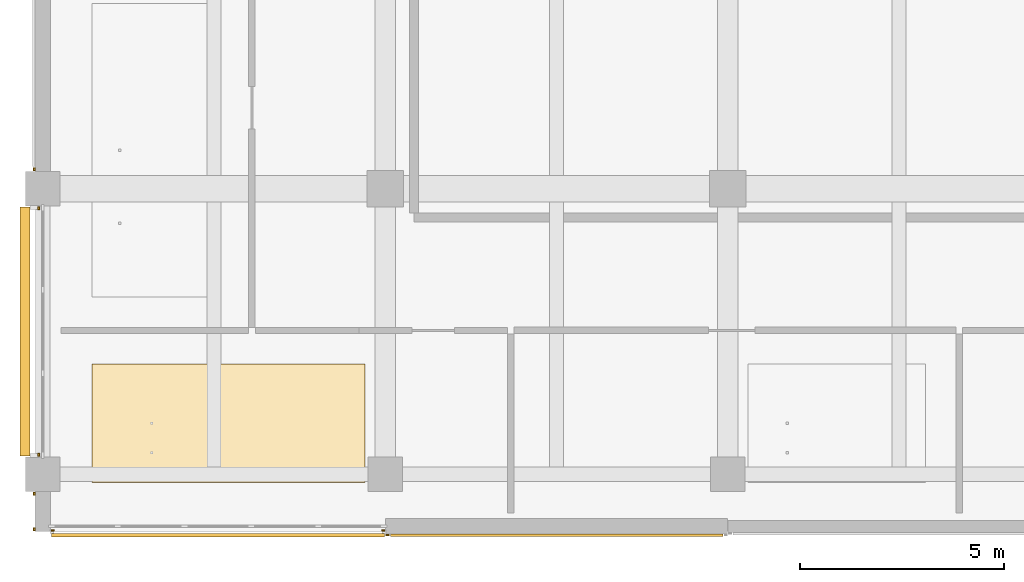
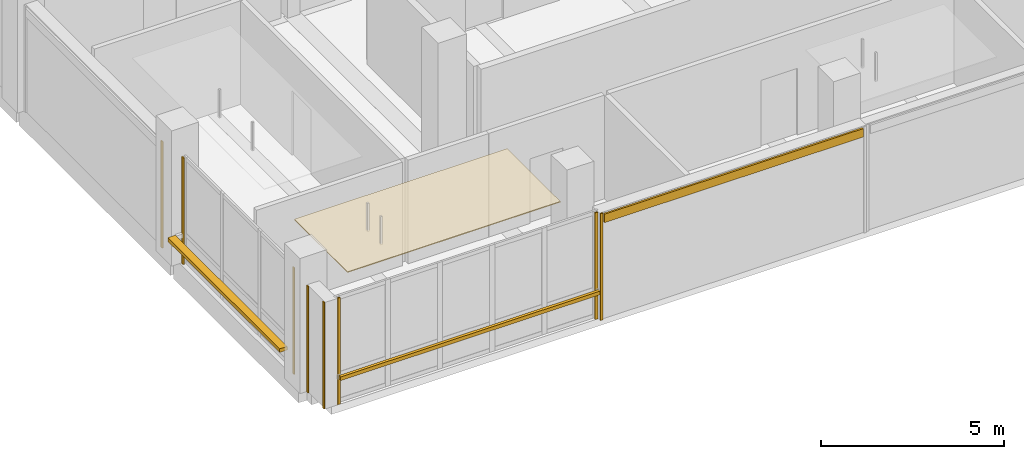
# One storey, part 23 of 36: 10 coverings, 2 shading devices.
"""IFC4 building model written with IfcOpenShell, lengths in metres."""

import ifcopenshell
import ifcopenshell.guid

model = None  # the IFC model being written
_history = None  # IfcOwnerHistory: only IFC2X3 demands one
_inside = {}  # id of a spatial element -> (the spatial element, [elements in it])
_under = {}  # id of a project, library or spatial element -> (it, [spatial elements below it])
_declared = {}  # id of a project -> (the project, [libraries it declares])
_typed = {}  # id of a type object -> (the type object, [elements of that type])
_made_of = {}  # id of a material, layer set ... -> (it, [elements and type objects made of it])


def new_model(schema):
    """Start an empty IFC model of exactly this schema.

    Asked for "IFC4X3", IfcOpenShell would pick the latest addendum, in which some entities
    have other attributes; the version numbers below select the first issue.
    IFC2X3 requires an IfcOwnerHistory on every rooted entity: one is made here for all.
    """
    global model, _history
    if schema == "IFC4X3":
        model = ifcopenshell.file(schema_version=(4, 3, 0, 0))
    else:
        model = ifcopenshell.file(schema=schema)
    _inside.clear()
    _under.clear()
    _declared.clear()
    _typed.clear()
    _made_of.clear()
    _history = None
    if model.schema == "IFC2X3":
        org = make("IfcOrganization", Name="unknown")
        user = make(
            "IfcPersonAndOrganization",
            ThePerson=make("IfcPerson", FamilyName="unknown"),
            TheOrganization=org,
        )
        app = make(
            "IfcApplication",
            ApplicationDeveloper=org,
            Version="unknown",
            ApplicationFullName="unknown",
            ApplicationIdentifier="unknown",
        )
        _history = make(
            "IfcOwnerHistory",
            OwningUser=user,
            OwningApplication=app,
            ChangeAction="ADDED",
            CreationDate=0,
        )
    return model


def make(cls, **values):
    """One entity of the class cls with the attributes given. An attribute that is None is left unset."""
    return model.create_entity(
        cls, **{name: value for name, value in values.items() if value is not None}
    )


def rooted(cls, **values):
    """An entity with a GlobalId (a new one), such as an element, a storey or a relation."""
    return make(cls, GlobalId=ifcopenshell.guid.new(), OwnerHistory=_history, **values)


def si_unit(unit_type, name, prefix=None):
    """IfcSIUnit, for example si_unit("LENGTHUNIT", "METRE", prefix="MILLI")."""
    return make("IfcSIUnit", UnitType=unit_type, Prefix=prefix, Name=name)


def assignment(units):
    """IfcUnitAssignment: the units of a project."""
    return None if units is None else make("IfcUnitAssignment", Units=units)


def point(xyz):
    """IfcCartesianPoint."""
    return None if xyz is None else make("IfcCartesianPoint", Coordinates=xyz)


def direction(xyz):
    """IfcDirection."""
    return None if xyz is None else make("IfcDirection", DirectionRatios=xyz)


def frame(location, z_axis=None, x_axis=None):
    """IfcAxis2Placement3D, a coordinate frame: its origin and axes. An axis left out is left unset."""
    return make(
        "IfcAxis2Placement3D",
        Location=point(location),
        Axis=direction(z_axis),
        RefDirection=direction(x_axis),
    )


def frame_2d(location, x_axis=None):
    """IfcAxis2Placement2D, a coordinate frame in the plane: its origin and x axis."""
    return make(
        "IfcAxis2Placement2D", Location=point(location), RefDirection=direction(x_axis)
    )


def origin():
    """The frame at (0, 0, 0) with its axes left unset."""
    return frame((0.0, 0.0, 0.0))


def origin_2d():
    """The frame at (0, 0) in the plane with its x axis left unset."""
    return frame_2d((0.0, 0.0))


def place(relative_to, where):
    """IfcLocalPlacement: puts the frame where relative to a parent placement (None: the world)."""
    return make(
        "IfcLocalPlacement", PlacementRelTo=relative_to, RelativePlacement=where
    )


def context(
    kind, dimensions, precision=None, world=None, true_north=None, identifier=None
):
    """IfcGeometricRepresentationContext, for example the 3D "Model" context."""
    return make(
        "IfcGeometricRepresentationContext",
        ContextIdentifier=identifier,
        ContextType=kind,
        CoordinateSpaceDimension=dimensions,
        Precision=precision,
        WorldCoordinateSystem=world,
        TrueNorth=true_north,
    )


def subcontext(parent, identifier, kind, view, scale=None):
    """IfcGeometricRepresentationSubContext, for example "Body" below "Model"."""
    return make(
        "IfcGeometricRepresentationSubContext",
        ContextIdentifier=identifier,
        ContextType=kind,
        ParentContext=parent,
        TargetScale=scale,
        TargetView=view,
    )


def project(units=None, contexts=None):
    """IfcProject with its units and contexts."""
    return rooted(
        "IfcProject",
        Name="project",
        RepresentationContexts=contexts,
        UnitsInContext=assignment(units),
    )


def spatial(cls, under=None, at=None, **own):
    """A site, building, storey or space (cls), placed at a placement, below another one or the project."""
    s = rooted(cls, ObjectPlacement=at, **own)
    if under is not None:
        _under.setdefault(under.id(), (under, []))[1].append(s)
    return s


def polyline(points):
    """IfcPolyline through the points."""
    return make("IfcPolyline", Points=[point(p) for p in points])


def profile(cls, at=None, kind="AREA", **sizes):
    """A parametric profile (cls). Its sizes go by their IFC names, for example OverallWidth=200.0."""
    return make(cls, ProfileType=kind, Position=at, **sizes)


def rectangle(**sizes):
    """IfcRectangleProfileDef."""
    return profile("IfcRectangleProfileDef", **sizes)


def outline(outer, holes=None, kind="AREA"):
    """IfcArbitraryClosedProfileDef: a profile drawn as a closed curve; with holes, ...WithVoids."""
    if holes is None:
        return make("IfcArbitraryClosedProfileDef", ProfileType=kind, OuterCurve=outer)
    return make(
        "IfcArbitraryProfileDefWithVoids",
        ProfileType=kind,
        OuterCurve=outer,
        InnerCurves=holes,
    )


def extrude(swept, where, along, depth):
    """IfcExtrudedAreaSolid: the profile swept, set in the frame where, extruded along a direction by depth."""
    return make(
        "IfcExtrudedAreaSolid",
        SweptArea=swept,
        Position=where,
        ExtrudedDirection=direction(along),
        Depth=depth,
    )


def shape(context_of_items, identifier, shape_type, items):
    """IfcShapeRepresentation: the items that make up one representation, for example the "Body"."""
    return make(
        "IfcShapeRepresentation",
        ContextOfItems=context_of_items,
        RepresentationIdentifier=identifier,
        RepresentationType=shape_type,
        Items=items,
    )


def material(Name=None, Category=None):
    """IfcMaterial."""
    return make("IfcMaterial", Name=Name, Category=Category)


def layer(
    of_material, thickness, ventilated=None, Name=None, Category=None, Priority=None
):
    """IfcMaterialLayer: one layer of a wall or slab, of a material (None: an air gap)."""
    return make(
        "IfcMaterialLayer",
        Material=of_material,
        LayerThickness=thickness,
        IsVentilated=ventilated,
        Name=Name,
        Category=Category,
        Priority=Priority,
    )


def layer_set(layers, Name=None):
    """IfcMaterialLayerSet."""
    return make("IfcMaterialLayerSet", MaterialLayers=layers, LayerSetName=Name)


def made_of(thing, what):
    """Note that an element or type object is made of a material, layer set ...; save() writes the relation."""
    if what is not None:
        _made_of.setdefault(what.id(), (what, []))[1].append(thing)
    return thing


def type_object(cls, material=None, **own):
    """A type object (cls), such as IfcWallType, which elements share."""
    return made_of(rooted(cls, **own), material)


def element(
    cls,
    number,
    at=None,
    inside=None,
    cuts=None,
    type_object=None,
    material=None,
    context=None,
    identifier="Body",
    shape_type=None,
    held_by="IfcProductDefinitionShape",
    body=None,
    shapes=None,
    **own,
):
    """One element of the class cls, such as IfcWall. Its Tag is "e" and its number.

    at: its placement. inside: the storey or other place that contains it. cuts: it is an
    opening in that element (IfcRelVoidsElement). A single representation is given by context,
    identifier, shape_type and body (its items); several are given by shapes. held_by: the class
    of the entity that holds the representations. save() writes the other relations.
    """
    e = rooted(cls, Tag="e%d" % number, ObjectPlacement=at, **own)
    if body is not None:
        shapes = [shape(context, identifier, shape_type, body)]
    if shapes is not None:
        e.Representation = make(held_by, Representations=shapes)
    if inside is not None:
        _inside.setdefault(inside.id(), (inside, []))[1].append(e)
    if cuts is not None:
        rooted(
            "IfcRelVoidsElement", RelatingBuildingElement=cuts, RelatedOpeningElement=e
        )
    if type_object is not None:
        _typed.setdefault(type_object.id(), (type_object, []))[1].append(e)
    return made_of(e, material)


def aggregate(whole, parts):
    """IfcRelAggregates: a whole, such as a stair, and the parts it consists of."""
    return rooted("IfcRelAggregates", RelatingObject=whole, RelatedObjects=parts)


def save(model, path):
    """Write the relations noted so far, then the file.

    IfcRelAggregates (storeys below a building ...), IfcRelContainedInSpatialStructure (elements
    in a storey), IfcRelDefinesByType, IfcRelAssociatesMaterial and IfcRelDeclares: one each for
    every whole, place, type object, material and project.
    """
    for whole, parts in _under.values():
        aggregate(whole, parts)
    for where, things in _inside.values():
        rooted(
            "IfcRelContainedInSpatialStructure",
            RelatedElements=things,
            RelatingStructure=where,
        )
    for kind, things in _typed.values():
        rooted("IfcRelDefinesByType", RelatedObjects=things, RelatingType=kind)
    for what, things in _made_of.values():
        rooted("IfcRelAssociatesMaterial", RelatedObjects=things, RelatingMaterial=what)
    for by, libraries in _declared.values():
        rooted("IfcRelDeclares", RelatingContext=by, RelatedDefinitions=libraries)
    model.write(path)


model = new_model("IFC4")

# Units and contexts
model_context = context("Model", 3, precision=1e-05, world=origin(), true_north=direction((0.0, 1.0)))
body_context = subcontext(model_context, "Body", "Model", "MODEL_VIEW")
ifc_project = project(units=[si_unit("LENGTHUNIT", "METRE"), si_unit("AREAUNIT", "SQUARE_METRE"), si_unit("VOLUMEUNIT", "CUBIC_METRE"), si_unit("PLANEANGLEUNIT", "RADIAN"), si_unit("MASSUNIT", "GRAM", prefix="KILO")], contexts=[model_context])

# Site, building, storey
site_placement = place(None, origin())
site = spatial("IfcSite", under=ifc_project, at=site_placement, CompositionType="ELEMENT")
building_placement = place(site_placement, origin())
building = spatial("IfcBuilding", under=site, at=building_placement, Name="Telukmera Botanical Conservatory", CompositionType="ELEMENT")
storey_placement = place(building_placement, frame((0.0, 0.0, 24.0)))
storey = spatial("IfcBuildingStorey", under=building, at=storey_placement, Name="L05", CompositionType="ELEMENT", Elevation=24.0)

# Coverings
ifc_material_1 = material(Name="Mineral fibre acoustic ceiling")
ifc_layer_1 = layer(ifc_material_1, 0.030029296875)
ifc_layer_set_1 = layer_set([ifc_layer_1], Name="Mineral fibre acoustic ceiling")
covering_type_1 = type_object("IfcCoveringType", Name="COV-CEIL-30", PredefinedType="CEILING", material=ifc_layer_set_1)
covering_1_placement = place(storey_placement, frame((0.0, 0.0, 3.320068359375)))
element("IfcCovering", 1, at=covering_1_placement, inside=storey, type_object=covering_type_1, Name="L05 Bryophyte Curation Studio Suspended Acoustic Ceiling", PredefinedType="CEILING", context=body_context, shape_type="SweptSolid", body=[
    extrude(outline(polyline([(51.60009765625, 10.39990234375), (58.304931640625, 10.39990234375), (58.304931640625, 13.300048828125), (51.60009765625, 13.300048828125), (51.60009765625, 10.39990234375)])), origin(), (0.0, 0.0, 1.0), 0.030029296875),
])
ifc_material_2 = material(Name="Granite-faced precast concrete C40/50", Category="masonry")
ifc_layer_2 = layer(ifc_material_2, 0.0400390625)
ifc_layer_set_2 = layer_set([ifc_layer_2], Name="Granite-faced precast concrete C40/50")
covering_type_2 = type_object("IfcCoveringType", Name="Granite Precast Column Pier Reveal Casing", PredefinedType="CLADDING", material=ifc_layer_set_2)
for number, where, z_axis, x_axis, name in (
    (2, (50.18994140625, 9.25, 0.0), (0.0, 0.0, 1.0), (0.0, 1.0, 0.0), "Granite Pier Reveal V4:L05:SWC L"),
    (3, (50.18994140625, 10.123046875, 0.0), (0.0, 0.0, 1.0), (0.0, 1.0, 0.0), "Granite Pier Reveal V4:L05:SWC R"),
    (4, (50.64208984375, 9.219970703125, 0.0), (0.0, 0.0, 1.0), (1.0, 0.0, 0.0), "Granite Pier Reveal V4:L05:S1 L"),
    (5, (58.748046875, 9.219970703125, 0.0), (0.0, 0.0, 1.0), (1.0, 0.0, 0.0), "Granite Pier Reveal V4:L05:S1 R"),
    (6, (58.85205078125, 9.110107421875, 0.0), (0.0, 0.0, 1.0), (1.0, 0.0, 0.0), "Granite Pier Reveal V4:L05:S2 L"),
    (7, (50.300048828125, 11.076904296875, 0.0), (0.0, 0.0, 1.0), (0.0, 1.0, 0.0), "Granite Pier Reveal V4:L05:W1 L"),
    (8, (50.300048828125, 17.123046875, 0.0), (0.0, 0.0, 1.0), (0.0, 1.0, 0.0), "Granite Pier Reveal V4:L05:W1 R"),
    (9, (50.18994140625, 18.076904296875, 0.0), (0.0, 0.0, 1.0), (0.0, 1.0, 0.0), "Granite Pier Reveal V4:L05:W2 L"),
):
    element("IfcCovering", number, at=place(storey_placement, frame(where, z_axis=z_axis, x_axis=x_axis)), inside=storey, type_object=covering_type_2, Name=name, PredefinedType="CLADDING", context=body_context, shape_type="SweptSolid", body=[
        extrude(rectangle(XDim=0.080078125, YDim=0.0400390625, at=origin_2d()), origin(), (0.0, 0.0, 1.0), 3.550048828125),
    ])

# Shading devices
ifc_material_3 = material(Name="Perforated terracotta-anodised aluminium 6063-T6", Category="masonry")
ifc_layer_3 = layer(ifc_material_3, 0.044921875)
ifc_layer_set_3 = layer_set([ifc_layer_3], Name="Perforated terracotta-anodised aluminium 6063-T6")
shading_device_type = type_object("IfcShadingDeviceType", Name="Perforated Terracotta Aluminium Monsoon Brise Soleil", PredefinedType="JALOUSIE", material=ifc_layer_set_3)
shading_device_1_placement = place(storey_placement, frame((54.695068359375, 9.10498046875, 0.889892578125), z_axis=(0.0, 0.0, 1.0), x_axis=(1.0, 0.0, 0.0)))
element("IfcShadingDevice", 10, at=shading_device_1_placement, inside=storey, type_object=shading_device_type, Name="Monsoon Shading BS01 V4:L05:S1", PredefinedType="JALOUSIE", context=body_context, shape_type="SweptSolid", body=[
    extrude(rectangle(XDim=8.166015625, YDim=0.090087890625, at=origin_2d()), origin(), (0.0, 0.0, 1.0), 0.1201171875),
])
shading_device_2_placement = place(storey_placement, frame((49.9599609375, 14.10009765625, 0.889892578125), z_axis=(0.0, 0.0, 1.0), x_axis=(0.0, 1.0, 0.0)))
element("IfcShadingDevice", 11, at=shading_device_2_placement, inside=storey, type_object=shading_device_type, Name="Monsoon Shading BS01 V4:L05:W1", PredefinedType="JALOUSIE", context=body_context, shape_type="SweptSolid", body=[
    extrude(rectangle(XDim=6.10595703125, YDim=0.239990234375, at=origin_2d()), origin(), (0.0, 0.0, 1.0), 0.1201171875),
])

# Covering
ifc_material_4 = material(Name="Terracotta-faced precast concrete C40/50", Category="masonry")
ifc_layer_4 = layer(ifc_material_4, 0.06005859375)
ifc_layer_set_4 = layer_set([ifc_layer_4], Name="Terracotta-faced precast concrete C40/50")
covering_type_3 = type_object("IfcCoveringType", Name="Polychrome Terracotta Facade Band Cladding", PredefinedType="CLADDING", material=ifc_layer_set_4)
covering_2_placement = place(storey_placement, frame((63.0, 9.10009765625, 3.22998046875), z_axis=(0.0, 0.0, 1.0), x_axis=(1.0, 0.0, 0.0)))
element("IfcCovering", 12, at=covering_2_placement, inside=storey, type_object=covering_type_3, Name="Polychrome Terracotta Band V4:L05:S2", PredefinedType="CLADDING", context=body_context, shape_type="SweptSolid", body=[
    extrude(rectangle(XDim=8.156005859375, YDim=0.06005859375, at=origin_2d()), origin(), (0.0, 0.0, 1.0), 0.280029296875),
])

save(model, "model.ifc")
